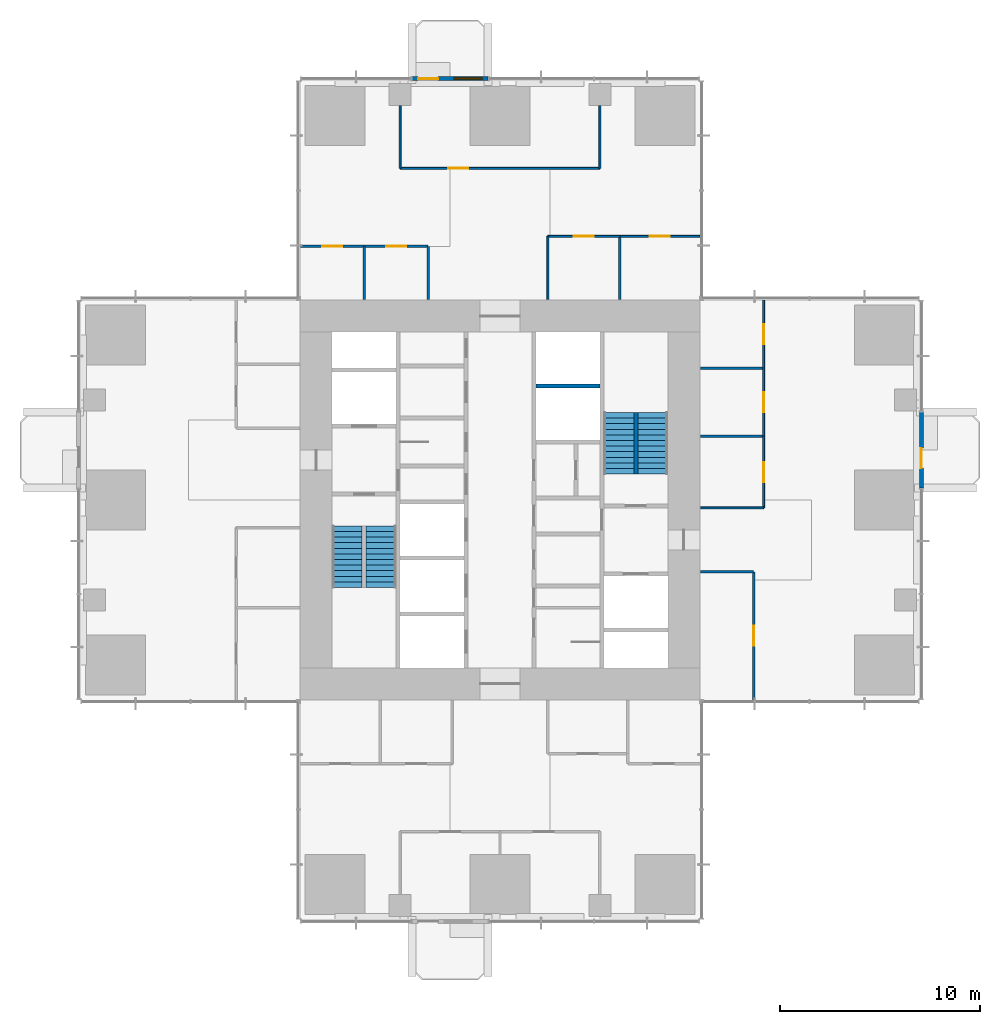
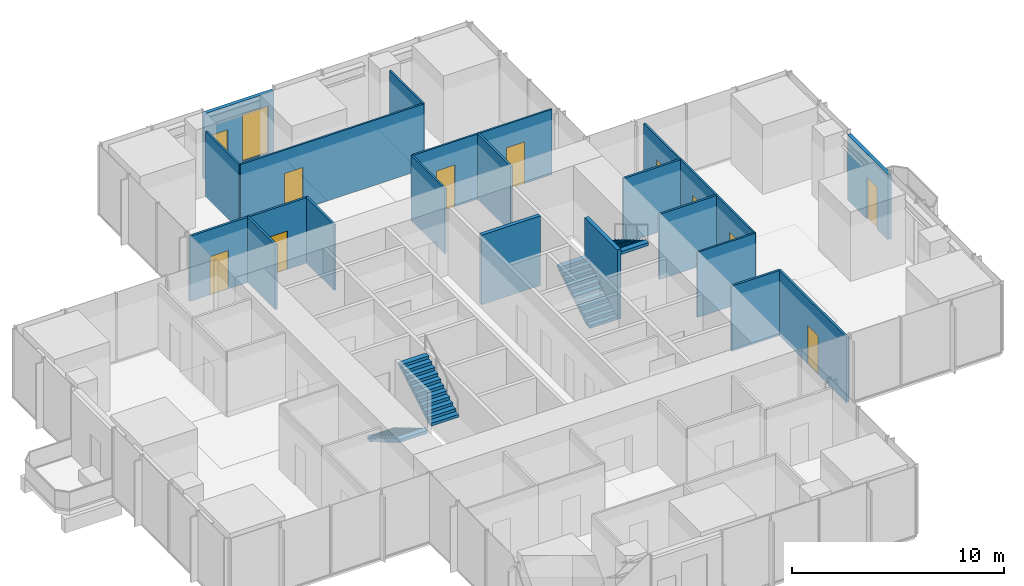
# One storey, part 10 of 13: 23 walls, 11 doors, 4 stair flights, 1 window, 12 openings, 2 elements without a shape of their own.
"""IFC4 building model written with IfcOpenShell, lengths in metres."""

from ifc_helpers import new_model, si_unit, direction, frame, frame_2d, origin, place, context, subcontext, project, spatial, polyline, rectangle, outline, extrude, material, layer, layer_set, type_object, element, fill, aggregate, save


model = new_model("IFC4")

# Units and contexts
model_context = context("Model", 3, precision=1e-05, world=origin(), true_north=direction((0.0, 1.0)))
body_context = subcontext(model_context, "Body", "Model", "MODEL_VIEW")
ifc_project = project(units=[si_unit("LENGTHUNIT", "METRE"), si_unit("AREAUNIT", "SQUARE_METRE"), si_unit("VOLUMEUNIT", "CUBIC_METRE"), si_unit("PLANEANGLEUNIT", "RADIAN"), si_unit("MASSUNIT", "GRAM", prefix="KILO")], contexts=[model_context])

# Site, building, storey
site_placement = place(None, origin())
site = spatial("IfcSite", under=ifc_project, at=site_placement, CompositionType="ELEMENT")
building_placement = place(site_placement, origin())
building = spatial("IfcBuilding", under=site, at=building_placement, Name="Svetlomir Tower", CompositionType="ELEMENT")
storey_placement = place(building_placement, frame((0.0, 0.0, 132.5)))
storey = spatial("IfcBuildingStorey", under=building, at=storey_placement, Name="L31", CompositionType="ELEMENT", Elevation=132.5)

# Wall, opening, door
ifc_material_1 = material(Name="Bronze anodised aluminium glazed screen", Category="aluminium")
ifc_layer_1 = layer(ifc_material_1, 0.199951171875)
ifc_layer_set_1 = layer_set([ifc_layer_1], Name="Bronze anodised aluminium glazed screen")
wall_type_1 = type_object("IfcWallType", Name="BALCONY SCREEN WALL 200", PredefinedType="USERDEFINED", material=ifc_layer_set_1)
wall_1_placement = place(storey_placement, frame((42.10009765625, 21.60009765625, 0.0), z_axis=(0.0, 0.0, 1.0), x_axis=(0.0, 1.0, 0.0)))
wall_1 = element("IfcWall", 1, at=wall_1_placement, inside=storey, type_object=wall_type_1, Name="Balcony screen E", ObjectType="GLAZED SCREEN", PredefinedType="USERDEFINED", context=body_context, shape_type="SweptSolid", body=[
    extrude(rectangle(XDim=3.7998046875, YDim=0.199951171875, at=frame_2d((1.89990234375, 0.0))), origin(), (0.0, 0.0, 1.0), 3.75),
])
opening_1_placement = place(wall_1_placement, frame((1.0, 0.0, 0.0)))
opening_1 = element("IfcOpeningElement", 2, at=opening_1_placement, cuts=wall_1, Name="Opening BD", PredefinedType="OPENING", context=body_context, shape_type="SweptSolid", body=[
    extrude(rectangle(XDim=1.0, YDim=2.39990234375, at=frame_2d((0.5, 1.199951171875))), frame((0.0, 0.10986328125, 0.0), z_axis=(0.0, -1.0, 0.0), x_axis=(1.0, 0.0, 0.0)), (0.0, 0.0, 1.0), 0.219970703125),
])
ifc_material_2 = material(Name="Bronze anodised aluminium glazed door", Category="aluminium")
door_type_1 = type_object("IfcDoorType", Name="BALCONY DOOR BD 1000x2400", OperationType="SINGLE_SWING_LEFT", PredefinedType="DOOR", material=ifc_material_2)
door_1_placement = place(opening_1_placement, origin())
door_1 = element("IfcDoor", 3, at=door_1_placement, inside=storey, type_object=door_type_1, Name="Balcony screen E door", OperationType="SINGLE_SWING_LEFT", OverallHeight=2.39990234375, OverallWidth=1.0, PredefinedType="DOOR", context=body_context, shape_type="SweptSolid", body=[
    extrude(rectangle(XDim=1.0, YDim=2.39990234375, at=frame_2d((0.5, 1.199951171875))), frame((0.0, 0.02490234375, 0.0), z_axis=(0.0, -1.0, 0.0), x_axis=(1.0, 0.0, 0.0)), (0.0, 0.0, 1.0), 0.050048828125),
])
fill(opening_1, door_1)

# Wall, openings, door, window
wall_2_placement = place(storey_placement, frame((20.39990234375, 42.10009765625, 0.0), z_axis=(0.0, 0.0, 1.0), x_axis=(-1.0, 0.0, 0.0)))
wall_2 = element("IfcWall", 4, at=wall_2_placement, inside=storey, type_object=wall_type_1, Name="Balcony screen N", ObjectType="GLAZED SCREEN", PredefinedType="USERDEFINED", context=body_context, shape_type="SweptSolid", body=[
    extrude(rectangle(XDim=3.7998046875, YDim=0.199951171875, at=frame_2d((1.89990234375, 0.0))), origin(), (0.0, 0.0, 1.0), 3.75),
])
opening_2_placement = place(wall_2_placement, frame((2.5, 0.0, 0.0)))
opening_2 = element("IfcOpeningElement", 5, at=opening_2_placement, cuts=wall_2, Name="Opening BD", PredefinedType="OPENING", context=body_context, shape_type="SweptSolid", body=[
    extrude(rectangle(XDim=1.0, YDim=2.39990234375, at=frame_2d((0.5, 1.199951171875))), frame((0.0, 0.10986328125, 0.0), z_axis=(0.0, -1.0, 0.0), x_axis=(1.0, 0.0, 0.0)), (0.0, 0.0, 1.0), 0.219970703125),
])
opening_3_placement = place(wall_2_placement, frame((0.300048828125, 0.0, 0.300048828125)))
opening_3 = element("IfcOpeningElement", 6, at=opening_3_placement, cuts=wall_2, Name="Opening WS2", PredefinedType="OPENING", context=body_context, shape_type="SweptSolid", body=[
    extrude(rectangle(XDim=1.39990234375, YDim=2.699951171875, at=frame_2d((0.699951171875, 1.35009765625))), frame((0.0, 0.10986328125, 0.0), z_axis=(0.0, -1.0, 0.0), x_axis=(1.0, 0.0, 0.0)), (0.0, 0.0, 1.0), 0.219970703125),
])
door_2_placement = place(opening_2_placement, origin())
door_2 = element("IfcDoor", 7, at=door_2_placement, inside=storey, type_object=door_type_1, Name="Balcony screen N door", OperationType="SINGLE_SWING_LEFT", OverallHeight=2.39990234375, OverallWidth=1.0, PredefinedType="DOOR", context=body_context, shape_type="SweptSolid", body=[
    extrude(rectangle(XDim=1.0, YDim=2.39990234375, at=frame_2d((0.5, 1.199951171875))), frame((0.0, 0.02490234375, 0.0), z_axis=(0.0, -1.0, 0.0), x_axis=(1.0, 0.0, 0.0)), (0.0, 0.0, 1.0), 0.050048828125),
])
fill(opening_2, door_2)
ifc_material_3 = material(Name="Bronze anodised aluminium window", Category="aluminium")
window_type = type_object("IfcWindowType", Name="SCREEN WINDOW WS2 1400x2700", PartitioningType="SINGLE_PANEL", PredefinedType="WINDOW", material=ifc_material_3)
window_placement = place(opening_3_placement, origin())
window = element("IfcWindow", 8, at=window_placement, inside=storey, type_object=window_type, Name="Balcony screen N window 1", OverallHeight=2.699951171875, OverallWidth=1.39990234375, PartitioningType="SINGLE_PANEL", PredefinedType="WINDOW", context=body_context, shape_type="SweptSolid", body=[
    extrude(rectangle(XDim=1.39990234375, YDim=2.699951171875, at=frame_2d((0.699951171875, 1.35009765625))), frame((0.0, 0.030029296875, 0.0), z_axis=(0.0, -1.0, 0.0), x_axis=(1.0, 0.0, 0.0)), (0.0, 0.0, 1.0), 0.06005859375),
])
fill(opening_3, window)

# Walls
ifc_material_4 = material(Name="Concrete C60/75", Category="concrete")
ifc_layer_2 = layer(ifc_material_4, 0.199951171875)
ifc_layer_set_2 = layer_set([ifc_layer_2], Name="Concrete C60/75")
wall_type_2 = type_object("IfcWallType", Name="CORE INNER WALL 200", PredefinedType="SHEAR", material=ifc_layer_set_2)
wall_3_placement = place(storey_placement, frame((22.800048828125, 26.699951171875, -0.050048828125), z_axis=(0.0, 0.0, 1.0), x_axis=(1.0, 0.0, 0.0)))
element("IfcWall", 9, at=wall_3_placement, inside=storey, type_object=wall_type_2, Name="Core inner wall 22.8-26/26.7 L31", PredefinedType="SHEAR", context=body_context, shape_type="SweptSolid", body=[
    extrude(rectangle(XDim=3.199951171875, YDim=0.199951171875, at=frame_2d((1.60009765625, 0.0))), origin(), (0.0, 0.0, 1.0), 4.0),
])
ifc_material_5 = material(Name="Framed laminated glass partition", Category="glass")
ifc_layer_3 = layer(ifc_material_5, 0.10009765625)
ifc_layer_set_3 = layer_set([ifc_layer_3], Name="Framed laminated glass partition")
wall_type_3 = type_object("IfcWallType", Name="GLAZED PARTITION 100", PredefinedType="PARTITIONING", material=ifc_layer_set_3)
wall_4_placement = place(storey_placement, frame((16.0, 37.60009765625, 0.0), z_axis=(0.0, 0.0, 1.0), x_axis=(0.0, 1.0, 0.0)))
element("IfcWall", 10, at=wall_4_placement, inside=storey, type_object=wall_type_3, Name="Glazed partition L31", PredefinedType="PARTITIONING", context=body_context, shape_type="SweptSolid", body=[
    extrude(rectangle(XDim=3.139892578125, YDim=0.10009765625, at=frame_2d((1.56982421875, 0.0))), origin(), (0.0, 0.0, 1.0), 3.75),
])

# Wall, opening, door
wall_5_placement = place(storey_placement, frame((16.0, 37.60009765625, 0.0), z_axis=(0.0, 0.0, 1.0), x_axis=(1.0, 0.0, 0.0)))
wall_5 = element("IfcWall", 11, at=wall_5_placement, inside=storey, type_object=wall_type_3, Name="Glazed partition L31", PredefinedType="PARTITIONING", context=body_context, shape_type="SweptSolid", body=[
    extrude(rectangle(XDim=10.0, YDim=0.10009765625, at=frame_2d((5.0, 0.0))), origin(), (0.0, 0.0, 1.0), 3.75),
])
opening_4_placement = place(wall_5_placement, frame((2.39990234375, 0.0, 0.0)))
opening_4 = element("IfcOpeningElement", 12, at=opening_4_placement, cuts=wall_5, Name="Opening DG", PredefinedType="OPENING", context=body_context, shape_type="SweptSolid", body=[
    extrude(rectangle(XDim=1.0, YDim=2.39990234375, at=frame_2d((0.5, 1.199951171875))), frame((0.0, 0.06005859375, 0.0), z_axis=(0.0, -1.0, 0.0), x_axis=(1.0, 0.0, 0.0)), (0.0, 0.0, 1.0), 0.1201171875),
])
ifc_material_6 = material(Name="Framed laminated glass door", Category="glass")
door_type_2 = type_object("IfcDoorType", Name="GLAZED DOOR DG 1000x2400", OperationType="SINGLE_SWING_LEFT", PredefinedType="DOOR", material=ifc_material_6)
door_3_placement = place(opening_4_placement, origin())
door_3 = element("IfcDoor", 13, at=door_3_placement, inside=storey, type_object=door_type_2, Name="Engineering review room, 12 seats door L31", OperationType="SINGLE_SWING_RIGHT", OverallHeight=2.39990234375, OverallWidth=1.0, PredefinedType="DOOR", context=body_context, shape_type="SweptSolid", body=[
    extrude(rectangle(XDim=1.0, YDim=2.39990234375, at=frame_2d((0.5, 1.199951171875))), frame((0.0, 0.02490234375, 0.0), z_axis=(0.0, -1.0, 0.0), x_axis=(1.0, 0.0, 0.0)), (0.0, 0.0, 1.0), 0.050048828125),
])
fill(opening_4, door_3)

# Wall
wall_6_placement = place(storey_placement, frame((23.39990234375, 31.050048828125, 0.0), z_axis=(0.0, 0.0, 1.0), x_axis=(0.0, 1.0, 0.0)))
element("IfcWall", 14, at=wall_6_placement, inside=storey, type_object=wall_type_3, Name="Glazed partition L31", PredefinedType="PARTITIONING", context=body_context, shape_type="SweptSolid", body=[
    extrude(rectangle(XDim=3.14990234375, YDim=0.10009765625, at=frame_2d((1.574951171875, 0.0))), origin(), (0.0, 0.0, 1.0), 3.75),
])

# Wall, opening, door
wall_7_placement = place(storey_placement, frame((23.39990234375, 34.199951171875, 0.0), z_axis=(0.0, 0.0, 1.0), x_axis=(1.0, 0.0, 0.0)))
wall_7 = element("IfcWall", 15, at=wall_7_placement, inside=storey, type_object=wall_type_3, Name="Glazed partition L31", PredefinedType="PARTITIONING", context=body_context, shape_type="SweptSolid", body=[
    extrude(rectangle(XDim=3.60009765625, YDim=0.10009765625, at=frame_2d((1.800048828125, 0.0))), origin(), (0.0, 0.0, 1.0), 3.75),
])
opening_5_placement = place(wall_7_placement, frame((1.300048828125, 0.0, 0.0)))
opening_5 = element("IfcOpeningElement", 16, at=opening_5_placement, cuts=wall_7, Name="Opening DG", PredefinedType="OPENING", context=body_context, shape_type="SweptSolid", body=[
    extrude(rectangle(XDim=1.0, YDim=2.39990234375, at=frame_2d((0.5, 1.199951171875))), frame((0.0, 0.06005859375, 0.0), z_axis=(0.0, -1.0, 0.0), x_axis=(1.0, 0.0, 0.0)), (0.0, 0.0, 1.0), 0.1201171875),
])
door_4_placement = place(opening_5_placement, origin())
door_4 = element("IfcDoor", 17, at=door_4_placement, inside=storey, type_object=door_type_2, Name="Focus room 3 door L31", OperationType="SINGLE_SWING_LEFT", OverallHeight=2.39990234375, OverallWidth=1.0, PredefinedType="DOOR", context=body_context, shape_type="SweptSolid", body=[
    extrude(rectangle(XDim=1.0, YDim=2.39990234375, at=frame_2d((0.5, 1.199951171875))), frame((0.0, 0.02490234375, 0.0), z_axis=(0.0, -1.0, 0.0), x_axis=(1.0, 0.0, 0.0)), (0.0, 0.0, 1.0), 0.050048828125),
])
fill(opening_5, door_4)

# Wall
wall_8_placement = place(storey_placement, frame((26.0, 37.60009765625, 0.0), z_axis=(0.0, 0.0, 1.0), x_axis=(0.0, 1.0, 0.0)))
element("IfcWall", 18, at=wall_8_placement, inside=storey, type_object=wall_type_3, Name="Glazed partition L31", PredefinedType="PARTITIONING", context=body_context, shape_type="SweptSolid", body=[
    extrude(rectangle(XDim=3.139892578125, YDim=0.10009765625, at=frame_2d((1.56982421875, 0.0))), origin(), (0.0, 0.0, 1.0), 3.75),
])

# Wall, opening, door
wall_9_placement = place(storey_placement, frame((27.0, 34.199951171875, 0.0), z_axis=(0.0, 0.0, 1.0), x_axis=(1.0, 0.0, 0.0)))
wall_9 = element("IfcWall", 19, at=wall_9_placement, inside=storey, type_object=wall_type_3, Name="Glazed partition L31", PredefinedType="PARTITIONING", context=body_context, shape_type="SweptSolid", body=[
    extrude(rectangle(XDim=4.0, YDim=0.10009765625, at=frame_2d((2.0, 0.0))), origin(), (0.0, 0.0, 1.0), 3.75),
])
opening_6_placement = place(wall_9_placement, frame((1.5, 0.0, 0.0)))
opening_6 = element("IfcOpeningElement", 20, at=opening_6_placement, cuts=wall_9, Name="Opening DG", PredefinedType="OPENING", context=body_context, shape_type="SweptSolid", body=[
    extrude(rectangle(XDim=1.0, YDim=2.39990234375, at=frame_2d((0.5, 1.199951171875))), frame((0.0, 0.06005859375, 0.0), z_axis=(0.0, -1.0, 0.0), x_axis=(1.0, 0.0, 0.0)), (0.0, 0.0, 1.0), 0.1201171875),
])
door_5_placement = place(opening_6_placement, origin())
door_5 = element("IfcDoor", 21, at=door_5_placement, inside=storey, type_object=door_type_2, Name="Meeting room, 10 seats door L31", OperationType="SINGLE_SWING_LEFT", OverallHeight=2.39990234375, OverallWidth=1.0, PredefinedType="DOOR", context=body_context, shape_type="SweptSolid", body=[
    extrude(rectangle(XDim=1.0, YDim=2.39990234375, at=frame_2d((0.5, 1.199951171875))), frame((0.0, 0.02490234375, 0.0), z_axis=(0.0, -1.0, 0.0), x_axis=(1.0, 0.0, 0.0)), (0.0, 0.0, 1.0), 0.050048828125),
])
fill(opening_6, door_5)

# Wall
wall_10_placement = place(storey_placement, frame((31.050048828125, 20.60009765625, 0.0), z_axis=(0.0, 0.0, 1.0), x_axis=(1.0, 0.0, 0.0)))
element("IfcWall", 22, at=wall_10_placement, inside=storey, type_object=wall_type_3, Name="Glazed partition L31", PredefinedType="PARTITIONING", context=body_context, shape_type="SweptSolid", body=[
    extrude(rectangle(XDim=3.14990234375, YDim=0.10009765625, at=frame_2d((1.574951171875, 0.0))), origin(), (0.0, 0.0, 1.0), 3.75),
])

# Wall, opening, door
wall_11_placement = place(storey_placement, frame((34.199951171875, 20.60009765625, 0.0), z_axis=(0.0, 0.0, 1.0), x_axis=(0.0, 1.0, 0.0)))
wall_11 = element("IfcWall", 23, at=wall_11_placement, inside=storey, type_object=wall_type_3, Name="Glazed partition L31", PredefinedType="PARTITIONING", context=body_context, shape_type="SweptSolid", body=[
    extrude(rectangle(XDim=3.599853515625, YDim=0.10009765625, at=frame_2d((1.7998046875, 0.0))), origin(), (0.0, 0.0, 1.0), 3.75),
])
opening_7_placement = place(wall_11_placement, frame((1.300048828125, 0.0, 0.0)))
opening_7 = element("IfcOpeningElement", 24, at=opening_7_placement, cuts=wall_11, Name="Opening DG", PredefinedType="OPENING", context=body_context, shape_type="SweptSolid", body=[
    extrude(rectangle(XDim=1.0, YDim=2.39990234375, at=frame_2d((0.5, 1.199951171875))), frame((0.0, 0.06005859375, 0.0), z_axis=(0.0, -1.0, 0.0), x_axis=(1.0, 0.0, 0.0)), (0.0, 0.0, 1.0), 0.1201171875),
])
door_6_placement = place(opening_7_placement, origin())
door_6 = element("IfcDoor", 25, at=door_6_placement, inside=storey, type_object=door_type_2, Name="Meeting room, 6 seats door L31", OperationType="SINGLE_SWING_RIGHT", OverallHeight=2.39990234375, OverallWidth=1.0, PredefinedType="DOOR", context=body_context, shape_type="SweptSolid", body=[
    extrude(rectangle(XDim=1.0, YDim=2.39990234375, at=frame_2d((0.5, 1.199951171875))), frame((0.0, 0.02490234375, 0.0), z_axis=(0.0, -1.0, 0.0), x_axis=(1.0, 0.0, 0.0)), (0.0, 0.0, 1.0), 0.050048828125),
])
fill(opening_7, door_6)

wall_12_placement = place(storey_placement, frame((34.199951171875, 24.199951171875, 0.0), z_axis=(0.0, 0.0, 1.0), x_axis=(0.0, 1.0, 0.0)))
wall_12 = element("IfcWall", 26, at=wall_12_placement, inside=storey, type_object=wall_type_3, Name="Glazed partition L31", PredefinedType="PARTITIONING", context=body_context, shape_type="SweptSolid", body=[
    extrude(rectangle(XDim=3.400146484375, YDim=0.10009765625, at=frame_2d((1.7001953125, 0.0))), origin(), (0.0, 0.0, 1.0), 3.75),
])
opening_8_placement = place(wall_12_placement, frame((1.199951171875, 0.0, 0.0)))
opening_8 = element("IfcOpeningElement", 27, at=opening_8_placement, cuts=wall_12, Name="Opening DG", PredefinedType="OPENING", context=body_context, shape_type="SweptSolid", body=[
    extrude(rectangle(XDim=1.0, YDim=2.39990234375, at=frame_2d((0.5, 1.199951171875))), frame((0.0, 0.06005859375, 0.0), z_axis=(0.0, -1.0, 0.0), x_axis=(1.0, 0.0, 0.0)), (0.0, 0.0, 1.0), 0.1201171875),
])
door_7_placement = place(opening_8_placement, origin())
door_7 = element("IfcDoor", 28, at=door_7_placement, inside=storey, type_object=door_type_2, Name="Focus room 1 door L31", OperationType="SINGLE_SWING_LEFT", OverallHeight=2.39990234375, OverallWidth=1.0, PredefinedType="DOOR", context=body_context, shape_type="SweptSolid", body=[
    extrude(rectangle(XDim=1.0, YDim=2.39990234375, at=frame_2d((0.5, 1.199951171875))), frame((0.0, 0.02490234375, 0.0), z_axis=(0.0, -1.0, 0.0), x_axis=(1.0, 0.0, 0.0)), (0.0, 0.0, 1.0), 0.050048828125),
])
fill(opening_8, door_7)

wall_13_placement = place(storey_placement, frame((34.199951171875, 27.60009765625, 0.0), z_axis=(0.0, 0.0, 1.0), x_axis=(0.0, 1.0, 0.0)))
wall_13 = element("IfcWall", 29, at=wall_13_placement, inside=storey, type_object=wall_type_3, Name="Glazed partition L31", PredefinedType="PARTITIONING", context=body_context, shape_type="SweptSolid", body=[
    extrude(rectangle(XDim=3.39990234375, YDim=0.10009765625, at=frame_2d((1.699951171875, 0.0))), origin(), (0.0, 0.0, 1.0), 3.75),
])
opening_9_placement = place(wall_13_placement, frame((1.199951171875, 0.0, 0.0)))
opening_9 = element("IfcOpeningElement", 30, at=opening_9_placement, cuts=wall_13, Name="Opening DG", PredefinedType="OPENING", context=body_context, shape_type="SweptSolid", body=[
    extrude(rectangle(XDim=1.0, YDim=2.39990234375, at=frame_2d((0.5, 1.199951171875))), frame((0.0, 0.06005859375, 0.0), z_axis=(0.0, -1.0, 0.0), x_axis=(1.0, 0.0, 0.0)), (0.0, 0.0, 1.0), 0.1201171875),
])
door_8_placement = place(opening_9_placement, origin())
door_8 = element("IfcDoor", 31, at=door_8_placement, inside=storey, type_object=door_type_2, Name="Focus room 2 door L31", OperationType="SINGLE_SWING_LEFT", OverallHeight=2.39990234375, OverallWidth=1.0, PredefinedType="DOOR", context=body_context, shape_type="SweptSolid", body=[
    extrude(rectangle(XDim=1.0, YDim=2.39990234375, at=frame_2d((0.5, 1.199951171875))), frame((0.0, 0.02490234375, 0.0), z_axis=(0.0, -1.0, 0.0), x_axis=(1.0, 0.0, 0.0)), (0.0, 0.0, 1.0), 0.050048828125),
])
fill(opening_9, door_8)

ifc_material_7 = material(Name="Gypsum board on steel studs", Category="steel")
ifc_layer_4 = layer(ifc_material_7, 0.1201171875)
ifc_layer_set_4 = layer_set([ifc_layer_4], Name="Gypsum board on steel studs")
wall_type_4 = type_object("IfcWallType", Name="PARTITION 120", PredefinedType="PARTITIONING", material=ifc_layer_set_4)
wall_14_placement = place(storey_placement, frame((11.0, 33.699951171875, 0.0), z_axis=(0.0, 0.0, 1.0), x_axis=(1.0, 0.0, 0.0)))
wall_14 = element("IfcWall", 32, at=wall_14_placement, inside=storey, type_object=wall_type_4, Name="Partition L31", PredefinedType="PARTITIONING", context=body_context, shape_type="SweptSolid", body=[
    extrude(rectangle(XDim=3.199951171875, YDim=0.1201171875, at=frame_2d((1.60009765625, 0.0))), origin(), (0.0, 0.0, 1.0), 3.75),
])
opening_10_placement = place(wall_14_placement, frame((1.10009765625, 0.0, 0.0)))
opening_10 = element("IfcOpeningElement", 33, at=opening_10_placement, cuts=wall_14, Name="Opening DR", PredefinedType="OPENING", context=body_context, shape_type="SweptSolid", body=[
    extrude(rectangle(XDim=1.0, YDim=2.199951171875, at=frame_2d((0.5, 1.10009765625))), frame((0.0, 0.070068359375, 0.0), z_axis=(0.0, -1.0, 0.0), x_axis=(1.0, 0.0, 0.0)), (0.0, 0.0, 1.0), 0.14013671875),
])
ifc_material_8 = material(Name="Timber door, glazed side light", Category="wood")
door_type_3 = type_object("IfcDoorType", Name="DOOR DR 1000x2200", OperationType="SINGLE_SWING_LEFT", PredefinedType="DOOR", material=ifc_material_8)
door_9_placement = place(opening_10_placement, origin())
door_9 = element("IfcDoor", 34, at=door_9_placement, inside=storey, type_object=door_type_3, Name="Print and copy room door L31", OperationType="SINGLE_SWING_RIGHT", OverallHeight=2.199951171875, OverallWidth=1.0, PredefinedType="DOOR", context=body_context, shape_type="SweptSolid", body=[
    extrude(rectangle(XDim=1.0, YDim=2.199951171875, at=frame_2d((0.5, 1.10009765625))), frame((0.0, 0.02490234375, 0.0), z_axis=(0.0, -1.0, 0.0), x_axis=(1.0, 0.0, 0.0)), (0.0, 0.0, 1.0), 0.050048828125),
])
fill(opening_10, door_9)

# Wall
wall_15_placement = place(storey_placement, frame((14.199951171875, 31.050048828125, 0.0), z_axis=(0.0, 0.0, 1.0), x_axis=(0.0, 1.0, 0.0)))
element("IfcWall", 35, at=wall_15_placement, inside=storey, type_object=wall_type_4, Name="Partition L31", PredefinedType="PARTITIONING", context=body_context, shape_type="SweptSolid", body=[
    extrude(rectangle(XDim=2.64990234375, YDim=0.1201171875, at=frame_2d((1.324951171875, 0.0))), origin(), (0.0, 0.0, 1.0), 3.75),
])

# Wall, opening, door
wall_16_placement = place(storey_placement, frame((14.199951171875, 33.699951171875, 0.0), z_axis=(0.0, 0.0, 1.0), x_axis=(1.0, 0.0, 0.0)))
wall_16 = element("IfcWall", 36, at=wall_16_placement, inside=storey, type_object=wall_type_4, Name="Partition L31", PredefinedType="PARTITIONING", context=body_context, shape_type="SweptSolid", body=[
    extrude(rectangle(XDim=3.199951171875, YDim=0.1201171875, at=frame_2d((1.60009765625, 0.0))), origin(), (0.0, 0.0, 1.0), 3.75),
])
opening_11_placement = place(wall_16_placement, frame((1.10009765625, 0.0, 0.0)))
opening_11 = element("IfcOpeningElement", 37, at=opening_11_placement, cuts=wall_16, Name="Opening DR", PredefinedType="OPENING", context=body_context, shape_type="SweptSolid", body=[
    extrude(rectangle(XDim=1.0, YDim=2.199951171875, at=frame_2d((0.5, 1.10009765625))), frame((0.0, 0.070068359375, 0.0), z_axis=(0.0, -1.0, 0.0), x_axis=(1.0, 0.0, 0.0)), (0.0, 0.0, 1.0), 0.14013671875),
])
door_10_placement = place(opening_11_placement, origin())
door_10 = element("IfcDoor", 38, at=door_10_placement, inside=storey, type_object=door_type_3, Name="Store 2 door L31", OperationType="SINGLE_SWING_RIGHT", OverallHeight=2.199951171875, OverallWidth=1.0, PredefinedType="DOOR", context=body_context, shape_type="SweptSolid", body=[
    extrude(rectangle(XDim=1.0, YDim=2.199951171875, at=frame_2d((0.5, 1.10009765625))), frame((0.0, 0.02490234375, 0.0), z_axis=(0.0, -1.0, 0.0), x_axis=(1.0, 0.0, 0.0)), (0.0, 0.0, 1.0), 0.050048828125),
])
fill(opening_11, door_10)

# Walls
wall_17_placement = place(storey_placement, frame((17.39990234375, 31.050048828125, 0.0), z_axis=(0.0, 0.0, 1.0), x_axis=(0.0, 1.0, 0.0)))
element("IfcWall", 39, at=wall_17_placement, inside=storey, type_object=wall_type_4, Name="Partition L31", PredefinedType="PARTITIONING", context=body_context, shape_type="SweptSolid", body=[
    extrude(rectangle(XDim=2.64990234375, YDim=0.1201171875, at=frame_2d((1.324951171875, 0.0))), origin(), (0.0, 0.0, 1.0), 3.75),
])
wall_18_placement = place(storey_placement, frame((27.0, 31.050048828125, 0.0), z_axis=(0.0, 0.0, 1.0), x_axis=(0.0, 1.0, 0.0)))
element("IfcWall", 40, at=wall_18_placement, inside=storey, type_object=wall_type_4, Name="Partition L31", PredefinedType="PARTITIONING", context=body_context, shape_type="SweptSolid", body=[
    extrude(rectangle(XDim=3.14990234375, YDim=0.1201171875, at=frame_2d((1.574951171875, 0.0))), origin(), (0.0, 0.0, 1.0), 3.75),
])
wall_19_placement = place(storey_placement, frame((31.050048828125, 17.39990234375, 0.0), z_axis=(0.0, 0.0, 1.0), x_axis=(1.0, 0.0, 0.0)))
element("IfcWall", 41, at=wall_19_placement, inside=storey, type_object=wall_type_4, Name="Partition L31", PredefinedType="PARTITIONING", context=body_context, shape_type="SweptSolid", body=[
    extrude(rectangle(XDim=2.64990234375, YDim=0.1201171875, at=frame_2d((1.324951171875, 0.0))), origin(), (0.0, 0.0, 1.0), 3.75),
])
for number, where, z_axis, x_axis, name in (
    (42, (31.050048828125, 24.199951171875, 0.0), (0.0, 0.0, 1.0), (1.0, 0.0, 0.0), "Partition L31"),
    (43, (31.050048828125, 27.60009765625, 0.0), (0.0, 0.0, 1.0), (1.0, 0.0, 0.0), "Partition L31"),
):
    element("IfcWall", number, at=place(storey_placement, frame(where, z_axis=z_axis, x_axis=x_axis)), inside=storey, type_object=wall_type_4, Name=name, PredefinedType="PARTITIONING", context=body_context, shape_type="SweptSolid", body=[
        extrude(rectangle(XDim=3.14990234375, YDim=0.1201171875, at=frame_2d((1.574951171875, 0.0))), origin(), (0.0, 0.0, 1.0), 3.75),
    ])

# Wall, opening, door
wall_20_placement = place(storey_placement, frame((33.699951171875, 11.0, 0.0), z_axis=(0.0, 0.0, 1.0), x_axis=(0.0, 1.0, 0.0)))
wall_20 = element("IfcWall", 44, at=wall_20_placement, inside=storey, type_object=wall_type_4, Name="Partition L31", PredefinedType="PARTITIONING", context=body_context, shape_type="SweptSolid", body=[
    extrude(rectangle(XDim=6.39990234375, YDim=0.1201171875, at=frame_2d((3.199951171875, 0.0))), origin(), (0.0, 0.0, 1.0), 3.75),
])
opening_12_placement = place(wall_20_placement, frame((2.699951171875, 0.0, 0.0)))
opening_12 = element("IfcOpeningElement", 45, at=opening_12_placement, cuts=wall_20, Name="Opening DR", PredefinedType="OPENING", context=body_context, shape_type="SweptSolid", body=[
    extrude(rectangle(XDim=1.0, YDim=2.199951171875, at=frame_2d((0.5, 1.10009765625))), frame((0.0, 0.070068359375, 0.0), z_axis=(0.0, -1.0, 0.0), x_axis=(1.0, 0.0, 0.0)), (0.0, 0.0, 1.0), 0.14013671875),
])
door_11_placement = place(opening_12_placement, origin())
door_11 = element("IfcDoor", 46, at=door_11_placement, inside=storey, type_object=door_type_3, Name="Asset monitoring room door L31", OperationType="SINGLE_SWING_LEFT", OverallHeight=2.199951171875, OverallWidth=1.0, PredefinedType="DOOR", context=body_context, shape_type="SweptSolid", body=[
    extrude(rectangle(XDim=1.0, YDim=2.199951171875, at=frame_2d((0.5, 1.10009765625))), frame((0.0, 0.02490234375, 0.0), z_axis=(0.0, -1.0, 0.0), x_axis=(1.0, 0.0, 0.0)), (0.0, 0.0, 1.0), 0.050048828125),
])
fill(opening_12, door_11)

# Wall
ifc_material_9 = material(Name="Concrete C60/75", Category="concrete")
ifc_layer_5 = layer(ifc_material_9, 0.199951171875)
ifc_layer_set_5 = layer_set([ifc_layer_5], Name="Concrete C60/75")
wall_type_5 = type_object("IfcWallType", Name="STAIR SPINE WALL 200", PredefinedType="PARTITIONING", material=ifc_layer_set_5)
wall_21_placement = place(storey_placement, frame((27.800048828125, 22.300048828125, 0.0), z_axis=(0.0, 0.0, 1.0), x_axis=(0.0, 1.0, 0.0)))
element("IfcWall", 47, at=wall_21_placement, inside=storey, type_object=wall_type_5, Name="Stair S2 spine wall L31", PredefinedType="PARTITIONING", context=body_context, shape_type="SweptSolid", body=[
    extrude(rectangle(XDim=3.079833984375, YDim=0.199951171875, at=frame_2d((1.5400390625, 0.0))), origin(), (0.0, 0.0, 1.0), 4.0),
])

# Stair, stair flights
ifc_material_10 = material(Name="Concrete C60/75", Category="concrete")
stair_type = type_object("IfcStairType", Name="EXIT STAIR 3200 RISE 4000", PredefinedType="HALF_TURN_STAIR", material=ifc_material_10)
stair_1_placement = place(storey_placement, origin())
stair_1 = element("IfcStair", 48, at=stair_1_placement, inside=storey, type_object=stair_type, Name="Stair S1 L31 to L32", PredefinedType="HALF_TURN_STAIR")
ifc_material_11 = material(Name="Concrete C60/75", Category="concrete")
stair_flight_type = type_object("IfcStairFlightType", Name="STAIR FLIGHT 1500 OF 12 RISERS", PredefinedType="STRAIGHT", material=ifc_material_11)
stair_flight_1_placement = place(storey_placement, frame((13.35009765625, 19.699951171875, 0.0), z_axis=(0.0, 0.0, 1.0), x_axis=(0.0, -1.0, 0.0)))
stair_flight_1 = element("IfcStairFlight", 49, at=stair_flight_1_placement, type_object=stair_flight_type, Name="S1 flight 1", NumberOfRisers=12, NumberOfTreads=11, PredefinedType="STRAIGHT", RiserHeight=0.166666667, TreadLength=0.28, context=body_context, shape_type="SweptSolid", body=[
    extrude(outline(polyline([(0.0, 0.0), (0.0, 0.166748046875), (0.280029296875, 0.166748046875), (0.280029296875, 0.333251953125), (0.56005859375, 0.333251953125), (0.56005859375, 0.5), (0.840087890625, 0.5), (0.840087890625, 0.666748046875), (1.1201171875, 0.666748046875), (1.1201171875, 0.833251953125), (1.39990234375, 0.833251953125), (1.39990234375, 1.0), (1.679931640625, 1.0), (1.679931640625, 1.166748046875), (1.9599609375, 1.166748046875), (1.9599609375, 1.333251953125), (2.239990234375, 1.333251953125), (2.239990234375, 1.5), (2.52001953125, 1.5), (2.52001953125, 1.666748046875), (2.800048828125, 1.666748046875), (2.800048828125, 1.833251953125), (3.080078125, 1.833251953125), (3.080078125, 2.0), (3.080078125, 1.658935546875), (0.29296875, 0.0), (0.0, 0.0)])), frame((0.0, 0.75, 0.0), z_axis=(0.0, -1.0, 0.0), x_axis=(1.0, 0.0, 0.0)), (0.0, 0.0, 1.0), 1.5),
])
stair_flight_2_placement = place(storey_placement, frame((15.050048828125, 16.6201171875, 2.0), z_axis=(0.0, 0.0, 1.0), x_axis=(0.0, 1.0, 0.0)))
stair_flight_2 = element("IfcStairFlight", 50, at=stair_flight_2_placement, type_object=stair_flight_type, Name="S1 flight 2", NumberOfRisers=12, NumberOfTreads=11, PredefinedType="STRAIGHT", RiserHeight=0.166666667, TreadLength=0.28, context=body_context, shape_type="SweptSolid", body=[
    extrude(outline(polyline([(0.0, 0.0), (0.0, 0.166748046875), (0.280029296875, 0.166748046875), (0.280029296875, 0.333251953125), (0.56005859375, 0.333251953125), (0.56005859375, 0.5), (0.840087890625, 0.5), (0.840087890625, 0.666748046875), (1.1201171875, 0.666748046875), (1.1201171875, 0.833251953125), (1.39990234375, 0.833251953125), (1.39990234375, 1.0), (1.679931640625, 1.0), (1.679931640625, 1.166748046875), (1.9599609375, 1.166748046875), (1.9599609375, 1.333251953125), (2.239990234375, 1.333251953125), (2.239990234375, 1.5), (2.52001953125, 1.5), (2.52001953125, 1.666748046875), (2.800048828125, 1.666748046875), (2.800048828125, 1.833251953125), (3.080078125, 1.833251953125), (3.080078125, 2.0), (3.080078125, 1.658935546875), (0.29296875, 0.0), (0.0, 0.0)])), frame((0.0, 0.75, 0.0), z_axis=(0.0, -1.0, 0.0), x_axis=(1.0, 0.0, 0.0)), (0.0, 0.0, 1.0), 1.5),
])
aggregate(stair_1, [stair_flight_1, stair_flight_2])

stair_2_placement = place(storey_placement, origin())
stair_2 = element("IfcStair", 51, at=stair_2_placement, inside=storey, type_object=stair_type, Name="Stair S2 L31 to L32", PredefinedType="HALF_TURN_STAIR")
stair_flight_3_placement = place(storey_placement, frame((26.949951171875, 22.300048828125, 0.0), z_axis=(0.0, 0.0, 1.0), x_axis=(0.0, 1.0, 0.0)))
stair_flight_3 = element("IfcStairFlight", 52, at=stair_flight_3_placement, type_object=stair_flight_type, Name="S2 flight 1", NumberOfRisers=12, NumberOfTreads=11, PredefinedType="STRAIGHT", RiserHeight=0.166666667, TreadLength=0.28, context=body_context, shape_type="SweptSolid", body=[
    extrude(outline(polyline([(0.0, 0.0), (0.0, 0.166748046875), (0.280029296875, 0.166748046875), (0.280029296875, 0.333251953125), (0.56005859375, 0.333251953125), (0.56005859375, 0.5), (0.840087890625, 0.5), (0.840087890625, 0.666748046875), (1.1201171875, 0.666748046875), (1.1201171875, 0.833251953125), (1.39990234375, 0.833251953125), (1.39990234375, 1.0), (1.679931640625, 1.0), (1.679931640625, 1.166748046875), (1.9599609375, 1.166748046875), (1.9599609375, 1.333251953125), (2.239990234375, 1.333251953125), (2.239990234375, 1.5), (2.52001953125, 1.5), (2.52001953125, 1.666748046875), (2.800048828125, 1.666748046875), (2.800048828125, 1.833251953125), (3.080078125, 1.833251953125), (3.080078125, 2.0), (3.080078125, 1.658935546875), (0.29296875, 0.0), (0.0, 0.0)])), frame((0.0, 0.75, 0.0), z_axis=(0.0, -1.0, 0.0), x_axis=(1.0, 0.0, 0.0)), (0.0, 0.0, 1.0), 1.5),
])
stair_flight_4_placement = place(storey_placement, frame((28.64990234375, 25.3798828125, 2.0), z_axis=(0.0, 0.0, 1.0), x_axis=(0.0, -1.0, 0.0)))
stair_flight_4 = element("IfcStairFlight", 53, at=stair_flight_4_placement, type_object=stair_flight_type, Name="S2 flight 2", NumberOfRisers=12, NumberOfTreads=11, PredefinedType="STRAIGHT", RiserHeight=0.166666667, TreadLength=0.28, context=body_context, shape_type="SweptSolid", body=[
    extrude(outline(polyline([(0.0, 0.0), (0.0, 0.166748046875), (0.280029296875, 0.166748046875), (0.280029296875, 0.333251953125), (0.56005859375, 0.333251953125), (0.56005859375, 0.5), (0.840087890625, 0.5), (0.840087890625, 0.666748046875), (1.1201171875, 0.666748046875), (1.1201171875, 0.833251953125), (1.39990234375, 0.833251953125), (1.39990234375, 1.0), (1.679931640625, 1.0), (1.679931640625, 1.166748046875), (1.9599609375, 1.166748046875), (1.9599609375, 1.333251953125), (2.239990234375, 1.333251953125), (2.239990234375, 1.5), (2.52001953125, 1.5), (2.52001953125, 1.666748046875), (2.800048828125, 1.666748046875), (2.800048828125, 1.833251953125), (3.080078125, 1.833251953125), (3.080078125, 2.0), (3.080078125, 1.658935546875), (0.29296875, 0.0), (0.0, 0.0)])), frame((0.0, 0.75, 0.0), z_axis=(0.0, -1.0, 0.0), x_axis=(1.0, 0.0, 0.0)), (0.0, 0.0, 1.0), 1.5),
])
aggregate(stair_2, [stair_flight_3, stair_flight_4])

save(model, "model.ifc")
